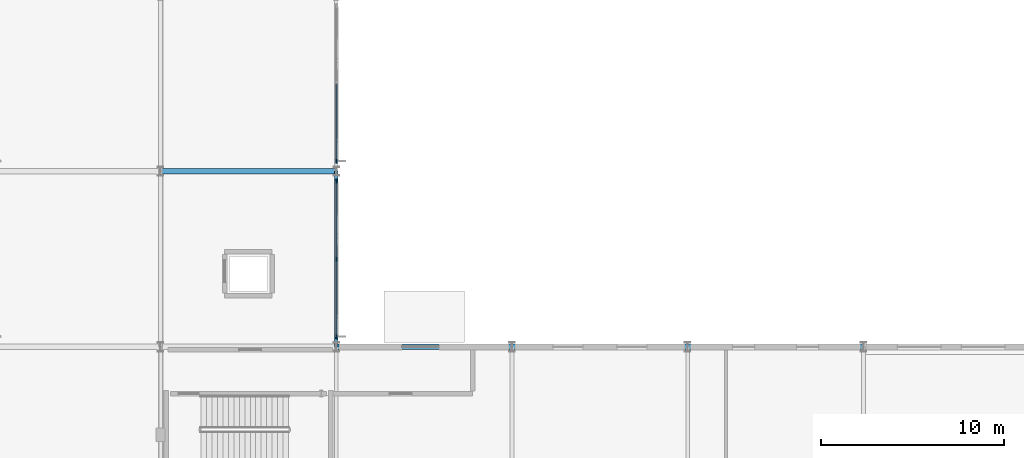
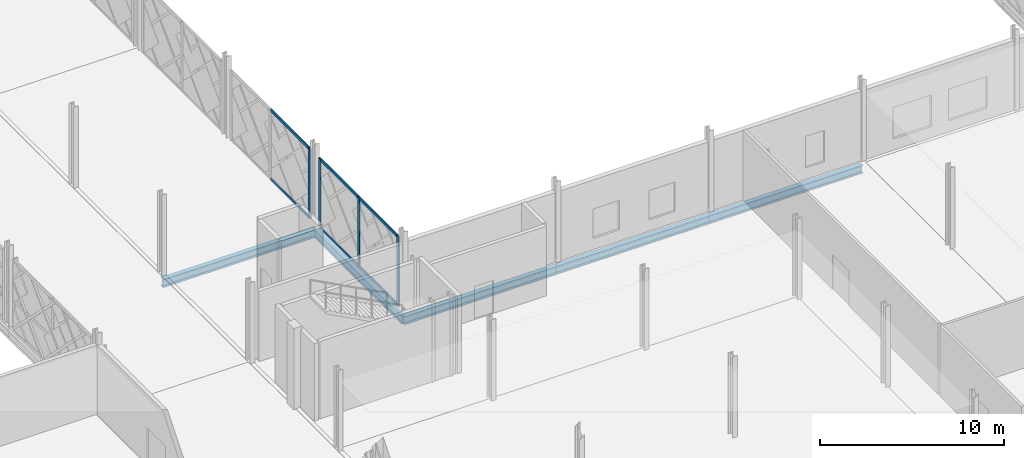
# One storey, part 32 of 84: 10 members, 5 beams, 2 elements without a shape of their own.
"""IFC4 building model written with IfcOpenShell, lengths in metres."""

from ifc_helpers import new_model, si_unit, direction, frame, origin, origin_2d, place, context, subcontext, project, spatial, rectangle, i_section, extrude, material, layer, layer_set, material_profile, profile_set, type_object, element, aggregate, save


model = new_model("IFC4")

# Units and contexts
model_context = context("Model", 3, precision=1e-05, world=origin(), true_north=direction((0.0, 1.0)))
body_context = subcontext(model_context, "Body", "Model", "MODEL_VIEW")
ifc_project = project(units=[si_unit("LENGTHUNIT", "METRE"), si_unit("AREAUNIT", "SQUARE_METRE"), si_unit("VOLUMEUNIT", "CUBIC_METRE"), si_unit("PLANEANGLEUNIT", "RADIAN"), si_unit("MASSUNIT", "GRAM", prefix="KILO")], contexts=[model_context])

# Site, building, storey
site_placement = place(None, origin())
site = spatial("IfcSite", under=ifc_project, at=site_placement, CompositionType="ELEMENT")
building_placement = place(site_placement, origin())
building = spatial("IfcBuilding", under=site, at=building_placement, Name="Zevrakil Square Congress Hotel", CompositionType="ELEMENT")
storey_placement = place(building_placement, origin())
storey = spatial("IfcBuildingStorey", under=building, at=storey_placement, Name="L01", CompositionType="ELEMENT", Elevation=0.0)

# Beams
ifc_material_1 = material(Name="Steel S355", Category="steel")
ifc_material_profile_1 = material_profile(ifc_material_1, i_section(OverallWidth=0.300048828125, OverallDepth=0.5400390625, WebThickness=0.012451171875, FlangeThickness=0.02392578125, FilletRadius=0.027099609375, at=origin_2d()), Name="HEA 550")
ifc_profile_set_1 = profile_set([ifc_material_profile_1], Name="Steel S355")
beam_type_1 = type_object("IfcBeamType", Name="BM-HEA550", PredefinedType="BEAM", material=ifc_profile_set_1)
beam_1_placement = place(storey_placement, frame((64.800048828125, 45.60009765625, -0.590087890625), z_axis=(1.0, 0.0, 0.0), x_axis=(0.0, 1.0, 0.0)))
element("IfcBeam", 1, at=beam_1_placement, inside=storey, type_object=beam_type_1, Name="L01 primary girder BX-0355", PredefinedType="BEAM", context=body_context, shape_type="SweptSolid", body=[
    extrude(i_section(OverallWidth=0.300048828125, OverallDepth=0.5400390625, WebThickness=0.012451171875, FlangeThickness=0.02392578125, FilletRadius=0.027099609375, at=origin_2d()), origin(), (0.0, 0.0, 1.0), 9.599853515625),
])
for number, where, z_axis, x_axis, name in (
    (2, (74.39990234375, 45.60009765625, -0.590087890625), (1.0, 0.0, 0.0), (0.0, 1.0, 0.0), "L01 primary girder BX-0356"),
    (3, (84.0, 45.60009765625, -0.590087890625), (1.0, 0.0, 0.0), (0.0, 1.0, 0.0), "L01 primary girder BX-0357"),
    (4, (55.199951171875, 55.199951171875, -0.590087890625), (1.0, 0.0, 0.0), (0.0, 1.0, 0.0), "L01 primary girder BX-0368"),
):
    element("IfcBeam", number, at=place(storey_placement, frame(where, z_axis=z_axis, x_axis=x_axis)), inside=storey, type_object=beam_type_1, Name=name, PredefinedType="BEAM", context=body_context, shape_type="SweptSolid", body=[
        extrude(i_section(OverallWidth=0.300048828125, OverallDepth=0.5400390625, WebThickness=0.012451171875, FlangeThickness=0.02392578125, FilletRadius=0.027099609375, at=origin_2d()), origin(), (0.0, 0.0, 1.0), 9.60009765625),
    ])
ifc_material_2 = material(Name="Steel S355", Category="steel")
ifc_material_profile_2 = material_profile(ifc_material_2, i_section(OverallWidth=0.2099609375, OverallDepth=0.550048828125, WebThickness=0.010986328125, FlangeThickness=0.01708984375, FilletRadius=0.02392578125, at=origin_2d()), Name="IPE 550")
ifc_profile_set_2 = profile_set([ifc_material_profile_2], Name="Steel S355")
beam_type_2 = type_object("IfcBeamType", Name="BM-IPE550", PredefinedType="BEAM", material=ifc_profile_set_2)
beam_2_placement = place(storey_placement, frame((64.800048828125, 45.60009765625, -0.594970703125), z_axis=(0.0, 1.0, 0.0), x_axis=(-1.0, 0.0, 0.0)))
element("IfcBeam", 5, at=beam_2_placement, inside=storey, type_object=beam_type_2, Name="L01 primary girder BY-0540", PredefinedType="BEAM", context=body_context, shape_type="SweptSolid", body=[
    extrude(i_section(OverallWidth=0.2099609375, OverallDepth=0.550048828125, WebThickness=0.010986328125, FlangeThickness=0.01708984375, FilletRadius=0.02392578125, at=origin_2d()), origin(), (0.0, 0.0, 1.0), 9.599853515625),
])

# Curtain wall, members
ifc_material_3 = material(Name="Aluminium Anodised Bronze", Category="aluminium")
ifc_layer = layer(ifc_material_3, 0.179931640625)
ifc_layer_set = layer_set([ifc_layer], Name="Aluminium Anodised Bronze")
curtain_wall_type = type_object("IfcCurtainWallType", Name="CW-L01-840", PredefinedType="USERDEFINED", material=ifc_layer_set)
curtain_wall_1_placement = place(storey_placement, origin())
curtain_wall_1 = element("IfcCurtainWall", 6, at=curtain_wall_1_placement, inside=storey, type_object=curtain_wall_type, Name="L01 diamond curtain wall CW-L01-0119", ObjectType="GLAZED CURTAIN WALL", PredefinedType="USERDEFINED")
ifc_material_4 = material(Name="Aluminium Anodised Bronze", Category="aluminium")
ifc_material_profile_3 = material_profile(ifc_material_4, rectangle(XDim=0.0849609375, YDim=0.179931640625, at=origin_2d()), Name="ALU 85x180")
ifc_profile_set_3 = profile_set([ifc_material_profile_3], Name="Aluminium Anodised Bronze")
member_type_1 = type_object("IfcMemberType", Name="CWM-ALU85x180", PredefinedType="USERDEFINED", material=ifc_profile_set_3)
member_1_placement = place(storey_placement, frame((64.800048828125, 46.179931640625, 0.030029296875), z_axis=(0.0, 1.0, 0.0), x_axis=(-1.0, 0.0, 0.0)))
member_1 = element("IfcMember", 7, at=member_1_placement, type_object=member_type_1, Name="CW-11 transom 1.1", ObjectType="TRANSOM", PredefinedType="USERDEFINED", context=body_context, shape_type="SweptSolid", body=[
    extrude(rectangle(XDim=0.0849609375, YDim=0.179931640625, at=origin_2d()), origin(), (0.0, 0.0, 1.0), 4.190185546875),
])
member_2_placement = place(storey_placement, frame((64.800048828125, 46.179931640625, 4.594970703125), z_axis=(0.0, 1.0, 0.0), x_axis=(-1.0, 0.0, 0.0)))
member_2 = element("IfcMember", 8, at=member_2_placement, type_object=member_type_1, Name="CW-11 transom 1.2", ObjectType="TRANSOM", PredefinedType="USERDEFINED", context=body_context, shape_type="SweptSolid", body=[
    extrude(rectangle(XDim=0.0849609375, YDim=0.179931640625, at=origin_2d()), origin(), (0.0, 0.0, 1.0), 4.190185546875),
])
member_3_placement = place(storey_placement, frame((64.800048828125, 50.429931640625, 0.030029296875), z_axis=(0.0, 1.0, 0.0), x_axis=(-1.0, 0.0, 0.0)))
member_3 = element("IfcMember", 9, at=member_3_placement, type_object=member_type_1, Name="CW-11 transom 2.1", ObjectType="TRANSOM", PredefinedType="USERDEFINED", context=body_context, shape_type="SweptSolid", body=[
    extrude(rectangle(XDim=0.0849609375, YDim=0.179931640625, at=origin_2d()), origin(), (0.0, 0.0, 1.0), 4.190185546875),
])
member_4_placement = place(storey_placement, frame((64.800048828125, 50.429931640625, 4.594970703125), z_axis=(0.0, 1.0, 0.0), x_axis=(-1.0, 0.0, 0.0)))
member_4 = element("IfcMember", 10, at=member_4_placement, type_object=member_type_1, Name="CW-11 transom 2.2", ObjectType="TRANSOM", PredefinedType="USERDEFINED", context=body_context, shape_type="SweptSolid", body=[
    extrude(rectangle(XDim=0.0849609375, YDim=0.179931640625, at=origin_2d()), origin(), (0.0, 0.0, 1.0), 4.190185546875),
])

curtain_wall_2_placement = place(storey_placement, origin())
curtain_wall_2 = element("IfcCurtainWall", 11, at=curtain_wall_2_placement, inside=storey, type_object=curtain_wall_type, Name="L01 diamond curtain wall CW-L01-0125", ObjectType="GLAZED CURTAIN WALL", PredefinedType="USERDEFINED")
member_5_placement = place(storey_placement, frame((64.800048828125, 55.780029296875, 0.030029296875), z_axis=(0.0, 1.0, 0.0), x_axis=(-1.0, 0.0, 0.0)))
member_5 = element("IfcMember", 12, at=member_5_placement, type_object=member_type_1, Name="CW-11 transom 1.1", ObjectType="TRANSOM", PredefinedType="USERDEFINED", context=body_context, shape_type="SweptSolid", body=[
    extrude(rectangle(XDim=0.0849609375, YDim=0.179931640625, at=origin_2d()), origin(), (0.0, 0.0, 1.0), 4.18994140625),
])
member_6_placement = place(storey_placement, frame((64.800048828125, 55.780029296875, 4.594970703125), z_axis=(0.0, 1.0, 0.0), x_axis=(-1.0, 0.0, 0.0)))
member_6 = element("IfcMember", 13, at=member_6_placement, type_object=member_type_1, Name="CW-11 transom 1.2", ObjectType="TRANSOM", PredefinedType="USERDEFINED", context=body_context, shape_type="SweptSolid", body=[
    extrude(rectangle(XDim=0.0849609375, YDim=0.179931640625, at=origin_2d()), origin(), (0.0, 0.0, 1.0), 4.18994140625),
])

# Member
ifc_material_5 = material(Name="Aluminium Anodised Bronze", Category="aluminium")
ifc_material_profile_4 = material_profile(ifc_material_5, rectangle(XDim=0.0849609375, YDim=0.219970703125, at=origin_2d()), Name="ALU 85x220")
ifc_profile_set_4 = profile_set([ifc_material_profile_4], Name="Aluminium Anodised Bronze")
member_type_2 = type_object("IfcMemberType", Name="CWM-ALU85x220", PredefinedType="MULLION", material=ifc_profile_set_4)
member_7_placement = place(storey_placement, frame((64.800048828125, 46.14990234375, 0.0), z_axis=(0.0, 0.0, 1.0), x_axis=(-1.0, 0.0, 0.0)))
member_7 = element("IfcMember", 14, at=member_7_placement, type_object=member_type_2, Name="CW-11 mullion 1", PredefinedType="MULLION", context=body_context, shape_type="SweptSolid", body=[
    extrude(rectangle(XDim=0.0849609375, YDim=0.219970703125, at=origin_2d()), origin(), (0.0, 0.0, 1.0), 4.625),
])

member_8_placement = place(storey_placement, frame((64.800048828125, 50.39990234375, 0.0), z_axis=(0.0, 0.0, 1.0), x_axis=(-1.0, 0.0, 0.0)))
member_8 = element("IfcMember", 15, at=member_8_placement, type_object=member_type_2, Name="CW-11 mullion 2", PredefinedType="MULLION", context=body_context, shape_type="SweptSolid", body=[
    extrude(rectangle(XDim=0.0849609375, YDim=0.219970703125, at=origin_2d()), origin(), (0.0, 0.0, 1.0), 4.625),
])

member_9_placement = place(storey_placement, frame((64.800048828125, 54.64990234375, 0.0), z_axis=(0.0, 0.0, 1.0), x_axis=(-1.0, 0.0, 0.0)))
member_9 = element("IfcMember", 16, at=member_9_placement, type_object=member_type_2, Name="CW-11 mullion 3", PredefinedType="MULLION", context=body_context, shape_type="SweptSolid", body=[
    extrude(rectangle(XDim=0.0849609375, YDim=0.219970703125, at=origin_2d()), origin(), (0.0, 0.0, 1.0), 4.625),
])

aggregate(curtain_wall_1, [member_7, member_8, member_9, member_1, member_2, member_3, member_4])

member_10_placement = place(storey_placement, frame((64.800048828125, 55.75, 0.0), z_axis=(0.0, 0.0, 1.0), x_axis=(-1.0, 0.0, 0.0)))
member_10 = element("IfcMember", 17, at=member_10_placement, type_object=member_type_2, Name="CW-11 mullion 1", PredefinedType="MULLION", context=body_context, shape_type="SweptSolid", body=[
    extrude(rectangle(XDim=0.0849609375, YDim=0.219970703125, at=origin_2d()), origin(), (0.0, 0.0, 1.0), 4.625),
])

aggregate(curtain_wall_2, [member_10, member_5, member_6])

save(model, "model.ifc")
